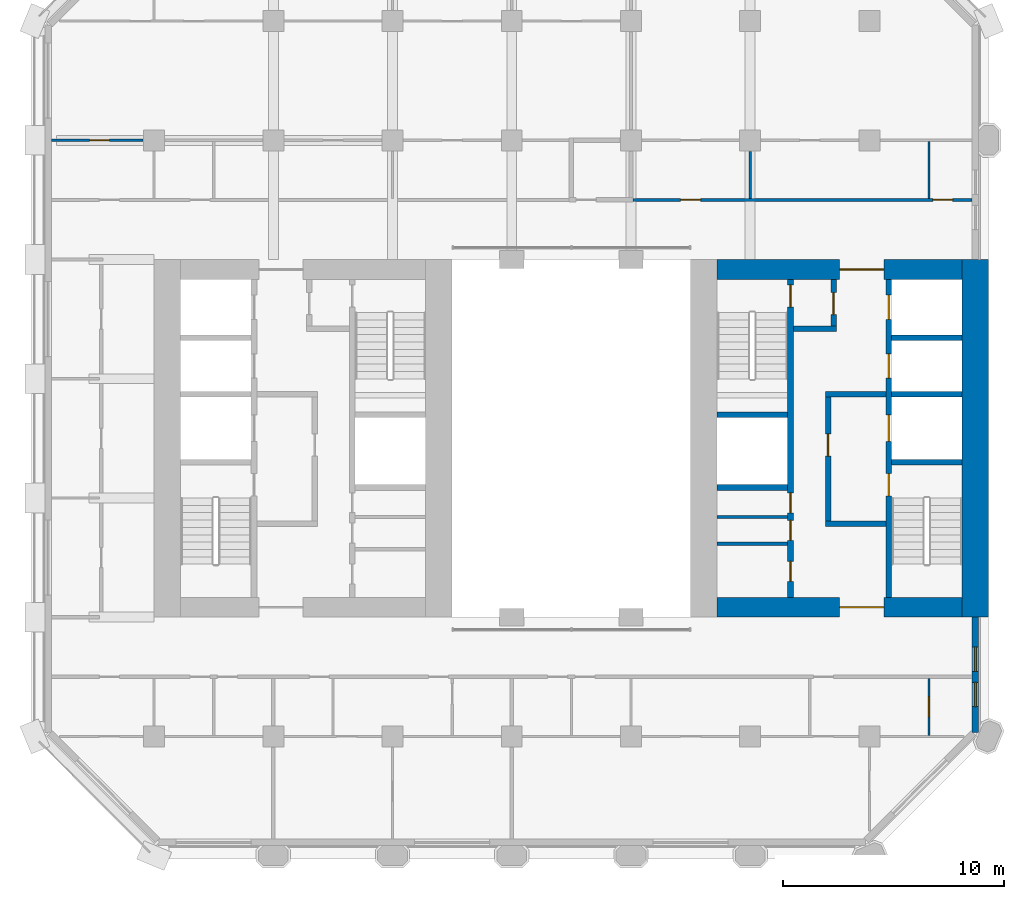
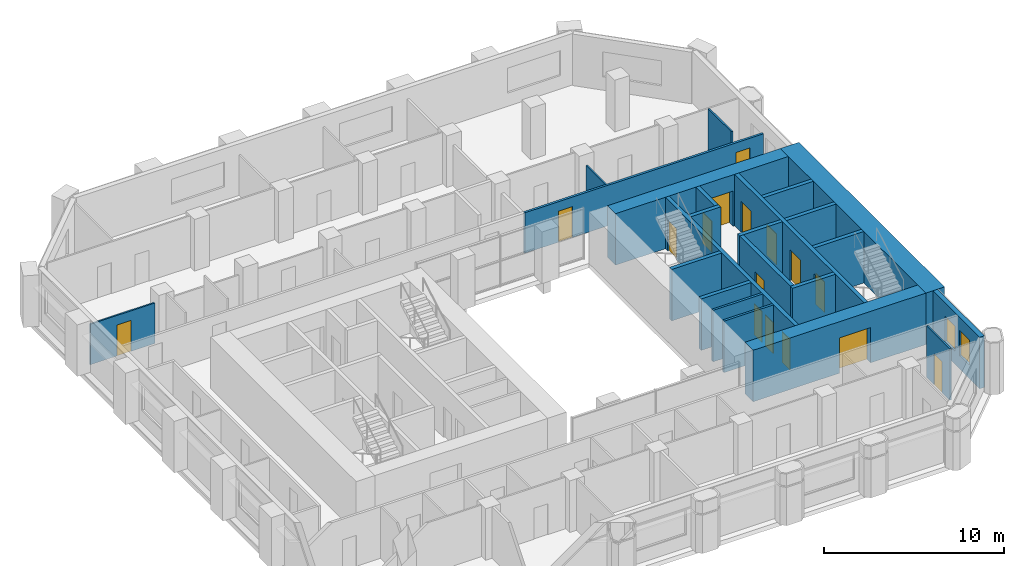
# One storey, part 8 of 13: 23 walls, 16 doors, 2 windows, 18 openings.
"""IFC4 building model written with IfcOpenShell, lengths in metres."""

from ifc_helpers import new_model, si_unit, direction, frame, frame_2d, origin, place, context, subcontext, project, spatial, rectangle, extrude, material, layer, layer_set, type_object, element, fill, save


model = new_model("IFC4")

# Units and contexts
model_context = context("Model", 3, precision=1e-05, world=origin(), true_north=direction((0.0, 1.0)))
body_context = subcontext(model_context, "Body", "Model", "MODEL_VIEW")
ifc_project = project(units=[si_unit("LENGTHUNIT", "METRE"), si_unit("AREAUNIT", "SQUARE_METRE"), si_unit("VOLUMEUNIT", "CUBIC_METRE"), si_unit("PLANEANGLEUNIT", "RADIAN"), si_unit("MASSUNIT", "GRAM", prefix="KILO")], contexts=[model_context])

# Site, building, storey
site_placement = place(None, origin())
site = spatial("IfcSite", under=ifc_project, at=site_placement, CompositionType="ELEMENT")
building_placement = place(site_placement, origin())
building = spatial("IfcBuilding", under=site, at=building_placement, Name="Tabaq Tower and Sports Hall", CompositionType="ELEMENT")
storey_placement = place(building_placement, frame((0.0, 0.0, 110.60009765625)))
storey = spatial("IfcBuildingStorey", under=building, at=storey_placement, Name="L26", CompositionType="ELEMENT", Elevation=110.60009765625)

# Walls
ifc_material_1 = material(Name="Blockwork", Category="masonry")
ifc_layer_1 = layer(ifc_material_1, 0.14990234375)
ifc_layer_set_1 = layer_set([ifc_layer_1], Name="Core room partition 150 Blockwork")
wall_type_1 = type_object("IfcWallType", Name="Core room partition 150 Blockwork", PredefinedType="PARTITIONING", material=ifc_layer_set_1)
for number, where, z_axis, x_axis, name in (
    (1, (30.89990234375, 19.52490234375, 0.0), (0.0, 0.0, 1.0), (1.0, 0.0, 0.0), "Core room partition E L26"),
    (2, (30.89990234375, 20.737060546875, 0.0), (0.0, 0.0, 1.0), (1.0, 0.0, 0.0), "Core room partition E L26"),
):
    element("IfcWall", number, at=place(storey_placement, frame(where, z_axis=z_axis, x_axis=x_axis)), inside=storey, type_object=wall_type_1, Name=name, PredefinedType="PARTITIONING", context=body_context, shape_type="SweptSolid", body=[
        extrude(rectangle(XDim=3.2001953125, YDim=0.14990234375, at=frame_2d((1.60009765625, 0.0))), origin(), (0.0, 0.0, 1.0), 3.5),
    ])
ifc_material_2 = material(Name="Concrete C60/75", Category="concrete")
ifc_layer_2 = layer(ifc_material_2, 1.199951171875)
ifc_layer_set_2 = layer_set([ifc_layer_2], Name="Core wall 1200 Concrete C60/75")
wall_type_2 = type_object("IfcWallType", Name="Core wall 1200 Concrete C60/75", PredefinedType="SOLIDWALL", material=ifc_layer_set_2)
wall_1_placement = place(storey_placement, frame((42.60009765625, 32.39990234375, 0.0), z_axis=(0.0, 0.0, 1.0), x_axis=(0.0, -1.0, 0.0)))
element("IfcWall", 3, at=wall_1_placement, inside=storey, type_object=wall_type_2, Name="Core wall E L26", PredefinedType="SOLIDWALL", context=body_context, shape_type="SweptSolid", body=[
    extrude(rectangle(XDim=16.199951171875, YDim=1.199951171875, at=frame_2d((8.10009765625, 0.0))), origin(), (0.0, 0.0, 1.0), 3.5),
])

# Wall, opening, door
ifc_material_3 = material(Name="Concrete C60/75", Category="concrete")
ifc_layer_3 = layer(ifc_material_3, 0.89990234375)
ifc_layer_set_3 = layer_set([ifc_layer_3], Name="Core wall 900 Concrete C60/75")
wall_type_3 = type_object("IfcWallType", Name="Core wall 900 Concrete C60/75", PredefinedType="SOLIDWALL", material=ifc_layer_set_3)
wall_2_placement = place(storey_placement, frame((42.0, 16.64990234375, 0.0), z_axis=(0.0, 0.0, 1.0), x_axis=(-1.0, 0.0, 0.0)))
wall_2 = element("IfcWall", 4, at=wall_2_placement, inside=storey, type_object=wall_type_3, Name="Core wall E L26", PredefinedType="SOLIDWALL", context=body_context, shape_type="SweptSolid", body=[
    extrude(rectangle(XDim=11.10009765625, YDim=0.89990234375, at=frame_2d((5.550048828125, 0.0))), origin(), (0.0, 0.0, 1.0), 3.5),
])
opening_1_placement = place(wall_2_placement, frame((3.550048828125, 0.0, 0.0)))
opening_1 = element("IfcOpeningElement", 5, at=opening_1_placement, cuts=wall_2, Name="Opening PD-EL26-01", PredefinedType="OPENING", context=body_context, shape_type="SweptSolid", body=[
    extrude(rectangle(XDim=2.0, YDim=2.39990234375, at=frame_2d((1.0, 1.199951171875))), frame((0.0, 0.449951171875, 0.0), z_axis=(0.0, -1.0, 0.0), x_axis=(1.0, 0.0, 0.0)), (0.0, 0.0, 1.0), 0.89990234375),
])
ifc_material_4 = material(Name="Steel fire door", Category="steel")
door_type_1 = type_object("IfcDoorType", Name="Core entrance door 2000", OperationType="DOUBLE_DOOR_SINGLE_SWING", PredefinedType="DOOR", material=ifc_material_4)
door_1_placement = place(opening_1_placement, origin())
door_1 = element("IfcDoor", 6, at=door_1_placement, inside=storey, type_object=door_type_1, Name="Core entrance south E L26", OperationType="DOUBLE_DOOR_SINGLE_SWING", OverallHeight=2.39990234375, OverallWidth=2.0, PredefinedType="DOOR", context=body_context, shape_type="SweptSolid", body=[
    extrude(rectangle(XDim=2.0, YDim=2.39990234375, at=frame_2d((1.0, 1.199951171875))), frame((0.0, 0.02490234375, 0.0), z_axis=(0.0, -1.0, 0.0), x_axis=(1.0, 0.0, 0.0)), (0.0, 0.0, 1.0), 0.050048828125),
])
fill(opening_1, door_1)

wall_3_placement = place(storey_placement, frame((30.89990234375, 31.949951171875, 0.0), z_axis=(0.0, 0.0, 1.0), x_axis=(1.0, 0.0, 0.0)))
wall_3 = element("IfcWall", 7, at=wall_3_placement, inside=storey, type_object=wall_type_3, Name="Core wall E L26", PredefinedType="SOLIDWALL", context=body_context, shape_type="SweptSolid", body=[
    extrude(rectangle(XDim=11.10009765625, YDim=0.89990234375, at=frame_2d((5.550048828125, 0.0))), origin(), (0.0, 0.0, 1.0), 3.5),
])
opening_2_placement = place(wall_3_placement, frame((5.550048828125, 0.0, 0.0)))
opening_2 = element("IfcOpeningElement", 8, at=opening_2_placement, cuts=wall_3, Name="Opening PD-EL26-02", PredefinedType="OPENING", context=body_context, shape_type="SweptSolid", body=[
    extrude(rectangle(XDim=2.0, YDim=2.39990234375, at=frame_2d((1.0, 1.199951171875))), frame((0.0, 0.449951171875, 0.0), z_axis=(0.0, -1.0, 0.0), x_axis=(1.0, 0.0, 0.0)), (0.0, 0.0, 1.0), 0.89990234375),
])
door_2_placement = place(opening_2_placement, origin())
door_2 = element("IfcDoor", 9, at=door_2_placement, inside=storey, type_object=door_type_1, Name="Core entrance north E L26", OperationType="DOUBLE_DOOR_SINGLE_SWING", OverallHeight=2.39990234375, OverallWidth=2.0, PredefinedType="DOOR", context=body_context, shape_type="SweptSolid", body=[
    extrude(rectangle(XDim=2.0, YDim=2.39990234375, at=frame_2d((1.0, 1.199951171875))), frame((0.0, 0.02490234375, 0.0), z_axis=(0.0, -1.0, 0.0), x_axis=(1.0, 0.0, 0.0)), (0.0, 0.0, 1.0), 0.050048828125),
])
fill(opening_2, door_2)

ifc_material_5 = material(Name="Gypsum board on steel studs", Category="steel")
ifc_layer_4 = layer(ifc_material_5, 0.10009765625)
ifc_layer_set_4 = layer_set([ifc_layer_4], Name="Partition 100 Gypsum board")
wall_type_4 = type_object("IfcWallType", Name="Partition 100 Gypsum board", PredefinedType="PARTITIONING", material=ifc_layer_set_4)
wall_4_placement = place(storey_placement, frame((4.905029296875, 37.800048828125, 0.0), z_axis=(0.0, 0.0, 1.0), x_axis=(-1.0, 0.0, 0.0)))
wall_4 = element("IfcWall", 10, at=wall_4_placement, inside=storey, type_object=wall_type_4, Name="Partition wall L26", PredefinedType="PARTITIONING", context=body_context, shape_type="SweptSolid", body=[
    extrude(rectangle(XDim=4.154052734375, YDim=0.10009765625, at=frame_2d((2.0771484375, 0.0))), origin(), (0.0, 0.0, 1.0), 2.75),
])
opening_3_placement = place(wall_4_placement, frame((1.530029296875, 0.0, 0.0)))
opening_3 = element("IfcOpeningElement", 11, at=opening_3_placement, cuts=wall_4, Name="Opening L26-028", PredefinedType="OPENING", context=body_context, shape_type="SweptSolid", body=[
    extrude(rectangle(XDim=0.89990234375, YDim=2.10009765625, at=frame_2d((0.449951171875, 1.050048828125))), frame((0.0, 0.050048828125, 0.0), z_axis=(0.0, -1.0, 0.0), x_axis=(1.0, 0.0, 0.0)), (0.0, 0.0, 1.0), 0.10009765625),
])
ifc_material_6 = material(Name="Timber leaf in steel frame", Category="steel")
door_type_2 = type_object("IfcDoorType", Name="Internal door 900 right hand", OperationType="SINGLE_SWING_RIGHT", PredefinedType="DOOR", material=ifc_material_6)
door_3_placement = place(opening_3_placement, origin())
door_3 = element("IfcDoor", 12, at=door_3_placement, inside=storey, type_object=door_type_2, Name="Internal door L26-028", OperationType="SINGLE_SWING_RIGHT", OverallHeight=2.10009765625, OverallWidth=0.89990234375, PredefinedType="DOOR", context=body_context, shape_type="SweptSolid", body=[
    extrude(rectangle(XDim=0.89990234375, YDim=2.10009765625, at=frame_2d((0.449951171875, 1.050048828125))), frame((0.0, 0.02490234375, 0.0), z_axis=(0.0, -1.0, 0.0), x_axis=(1.0, 0.0, 0.0)), (0.0, 0.0, 1.0), 0.050048828125),
])
fill(opening_3, door_3)

# Walls
wall_5_placement = place(storey_placement, frame((32.39990234375, 35.175048828125, 0.0), z_axis=(0.0, 0.0, 1.0), x_axis=(0.0, 1.0, 0.0)))
element("IfcWall", 13, at=wall_5_placement, inside=storey, type_object=wall_type_4, Name="Partition wall L26", PredefinedType="PARTITIONING", context=body_context, shape_type="SweptSolid", body=[
    extrude(rectangle(XDim=2.1298828125, YDim=0.10009765625, at=frame_2d((1.06494140625, 0.0))), origin(), (0.0, 0.0, 1.0), 2.75),
])
wall_6_placement = place(storey_placement, frame((40.5, 35.175048828125, 0.0), z_axis=(0.0, 0.0, 1.0), x_axis=(0.0, 1.0, 0.0)))
element("IfcWall", 14, at=wall_6_placement, inside=storey, type_object=wall_type_4, Name="Partition wall L26", PredefinedType="PARTITIONING", context=body_context, shape_type="SweptSolid", body=[
    extrude(rectangle(XDim=2.574951171875, YDim=0.10009765625, at=frame_2d((1.28759765625, 0.0))), origin(), (0.0, 0.0, 1.0), 3.5),
])

# Wall, opening, door
wall_7_placement = place(storey_placement, frame((40.5, 10.85009765625, 0.0), z_axis=(0.0, 0.0, 1.0), x_axis=(0.0, 1.0, 0.0)))
wall_7 = element("IfcWall", 15, at=wall_7_placement, inside=storey, type_object=wall_type_4, Name="Partition wall L26", PredefinedType="PARTITIONING", context=body_context, shape_type="SweptSolid", body=[
    extrude(rectangle(XDim=2.574951171875, YDim=0.10009765625, at=frame_2d((1.28759765625, 0.0))), origin(), (0.0, 0.0, 1.0), 3.5),
])
opening_4_placement = place(wall_7_placement, frame((0.85009765625, 0.0, 0.0)))
opening_4 = element("IfcOpeningElement", 16, at=opening_4_placement, cuts=wall_7, Name="Opening L26-023", PredefinedType="OPENING", context=body_context, shape_type="SweptSolid", body=[
    extrude(rectangle(XDim=0.89990234375, YDim=2.10009765625, at=frame_2d((0.449951171875, 1.050048828125))), frame((0.0, 0.050048828125, 0.0), z_axis=(0.0, -1.0, 0.0), x_axis=(1.0, 0.0, 0.0)), (0.0, 0.0, 1.0), 0.10009765625),
])
ifc_material_7 = material(Name="Timber leaf in steel frame", Category="steel")
door_type_3 = type_object("IfcDoorType", Name="Internal door 900 left hand", OperationType="SINGLE_SWING_LEFT", PredefinedType="DOOR", material=ifc_material_7)
door_4_placement = place(opening_4_placement, origin())
door_4 = element("IfcDoor", 17, at=door_4_placement, inside=storey, type_object=door_type_3, Name="Internal door L26-023", OperationType="SINGLE_SWING_LEFT", OverallHeight=2.10009765625, OverallWidth=0.89990234375, PredefinedType="DOOR", context=body_context, shape_type="SweptSolid", body=[
    extrude(rectangle(XDim=0.89990234375, YDim=2.10009765625, at=frame_2d((0.449951171875, 1.050048828125))), frame((0.0, 0.02490234375, 0.0), z_axis=(0.0, -1.0, 0.0), x_axis=(1.0, 0.0, 0.0)), (0.0, 0.0, 1.0), 0.050048828125),
])
fill(opening_4, door_4)

# Wall, openings, doors
ifc_material_8 = material(Name="Blockwork", Category="masonry")
ifc_layer_5 = layer(ifc_material_8, 0.14990234375)
ifc_layer_set_5 = layer_set([ifc_layer_5], Name="Separating wall 150 Blockwork")
wall_type_5 = type_object("IfcWallType", Name="Separating wall 150 Blockwork", PredefinedType="PARTITIONING", material=ifc_layer_set_5)
wall_8_placement = place(storey_placement, frame((42.448974609375, 35.10009765625, 0.0), z_axis=(0.0, 0.0, 1.0), x_axis=(-1.0, 0.0, 0.0)))
wall_8 = element("IfcWall", 18, at=wall_8_placement, inside=storey, type_object=wall_type_5, Name="Separating wall L26", PredefinedType="PARTITIONING", context=body_context, shape_type="SweptSolid", body=[
    extrude(rectangle(XDim=15.348876953125, YDim=0.14990234375, at=frame_2d((7.67431640625, 0.0))), origin(), (0.0, 0.0, 1.0), 2.75),
])
opening_5_placement = place(wall_8_placement, frame((0.87890625, 0.0, 0.0)))
opening_5 = element("IfcOpeningElement", 19, at=opening_5_placement, cuts=wall_8, Name="Opening L26-003", PredefinedType="OPENING", context=body_context, shape_type="SweptSolid", body=[
    extrude(rectangle(XDim=0.89990234375, YDim=2.10009765625, at=frame_2d((0.449951171875, 1.050048828125))), frame((0.0, 0.074951171875, 0.0), z_axis=(0.0, -1.0, 0.0), x_axis=(1.0, 0.0, 0.0)), (0.0, 0.0, 1.0), 0.14990234375),
])
opening_6_placement = place(wall_8_placement, frame((12.299072265625, 0.0, 0.0)))
opening_6 = element("IfcOpeningElement", 20, at=opening_6_placement, cuts=wall_8, Name="Opening L26-026", PredefinedType="OPENING", context=body_context, shape_type="SweptSolid", body=[
    extrude(rectangle(XDim=0.89990234375, YDim=2.10009765625, at=frame_2d((0.449951171875, 1.050048828125))), frame((0.0, 0.074951171875, 0.0), z_axis=(0.0, -1.0, 0.0), x_axis=(1.0, 0.0, 0.0)), (0.0, 0.0, 1.0), 0.14990234375),
])
ifc_material_9 = material(Name="Steel fire door", Category="steel")
door_type_4 = type_object("IfcDoorType", Name="Entrance door 900 left hand", OperationType="SINGLE_SWING_LEFT", PredefinedType="DOOR", material=ifc_material_9)
door_5_placement = place(opening_5_placement, origin())
door_5 = element("IfcDoor", 21, at=door_5_placement, inside=storey, type_object=door_type_4, Name="Entrance door L26-003", OperationType="SINGLE_SWING_LEFT", OverallHeight=2.10009765625, OverallWidth=0.89990234375, PredefinedType="DOOR", context=body_context, shape_type="SweptSolid", body=[
    extrude(rectangle(XDim=0.89990234375, YDim=2.10009765625, at=frame_2d((0.449951171875, 1.050048828125))), frame((0.0, 0.02490234375, 0.0), z_axis=(0.0, -1.0, 0.0), x_axis=(1.0, 0.0, 0.0)), (0.0, 0.0, 1.0), 0.050048828125),
])
fill(opening_5, door_5)
door_6_placement = place(opening_6_placement, origin())
door_6 = element("IfcDoor", 22, at=door_6_placement, inside=storey, type_object=door_type_4, Name="Entrance door L26-026", OperationType="SINGLE_SWING_LEFT", OverallHeight=2.10009765625, OverallWidth=0.89990234375, PredefinedType="DOOR", context=body_context, shape_type="SweptSolid", body=[
    extrude(rectangle(XDim=0.89990234375, YDim=2.10009765625, at=frame_2d((0.449951171875, 1.050048828125))), frame((0.0, 0.02490234375, 0.0), z_axis=(0.0, -1.0, 0.0), x_axis=(1.0, 0.0, 0.0)), (0.0, 0.0, 1.0), 0.050048828125),
])
fill(opening_6, door_6)

ifc_material_10 = material(Name="Concrete C40/50", Category="concrete")
ifc_layer_6 = layer(ifc_material_10, 0.25)
ifc_layer_set_6 = layer_set([ifc_layer_6], Name="Shaft and stair wall 250 Concrete C40/50")
wall_type_6 = type_object("IfcWallType", Name="Shaft and stair wall 250 Concrete C40/50", PredefinedType="SOLIDWALL", material=ifc_layer_set_6)
wall_9_placement = place(storey_placement, frame((38.675048828125, 17.10009765625, 0.0), z_axis=(0.0, 0.0, 1.0), x_axis=(0.0, 1.0, 0.0)))
wall_9 = element("IfcWall", 23, at=wall_9_placement, inside=storey, type_object=wall_type_6, Name="Shaft wall E L26", PredefinedType="SOLIDWALL", context=body_context, shape_type="SweptSolid", body=[
    extrude(rectangle(XDim=14.39990234375, YDim=0.25, at=frame_2d((7.199951171875, 0.0))), origin(), (0.0, 0.0, 1.0), 3.5),
])
opening_7_placement = place(wall_9_placement, frame((4.60009765625, 0.0, 0.0)))
opening_7 = element("IfcOpeningElement", 24, at=opening_7_placement, cuts=wall_9, Name="Opening SD-EL26-03", PredefinedType="OPENING", context=body_context, shape_type="SweptSolid", body=[
    extrude(rectangle(XDim=1.0, YDim=2.10009765625, at=frame_2d((0.5, 1.050048828125))), frame((0.0, 0.125, 0.0), z_axis=(0.0, -1.0, 0.0), x_axis=(1.0, 0.0, 0.0)), (0.0, 0.0, 1.0), 0.25),
])
opening_8_placement = place(wall_9_placement, frame((7.0625, 0.0, 0.0)))
opening_8 = element("IfcOpeningElement", 25, at=opening_8_placement, cuts=wall_9, Name="Opening LD-FF2-L26", PredefinedType="OPENING", context=body_context, shape_type="SweptSolid", body=[
    extrude(rectangle(XDim=1.199951171875, YDim=2.10009765625, at=frame_2d((0.60009765625, 1.050048828125))), frame((0.0, 0.125, 0.0), z_axis=(0.0, -1.0, 0.0), x_axis=(1.0, 0.0, 0.0)), (0.0, 0.0, 1.0), 0.25),
])
opening_9_placement = place(wall_9_placement, frame((9.925048828125, 0.0, 0.0)))
opening_9 = element("IfcOpeningElement", 26, at=opening_9_placement, cuts=wall_9, Name="Opening LD-LR3-L26", PredefinedType="OPENING", context=body_context, shape_type="SweptSolid", body=[
    extrude(rectangle(XDim=1.10009765625, YDim=2.10009765625, at=frame_2d((0.550048828125, 1.050048828125))), frame((0.0, 0.125, 0.0), z_axis=(0.0, -1.0, 0.0), x_axis=(1.0, 0.0, 0.0)), (0.0, 0.0, 1.0), 0.25),
])
opening_10_placement = place(wall_9_placement, frame((12.58740234375, 0.0, 0.0)))
opening_10 = element("IfcOpeningElement", 27, at=opening_10_placement, cuts=wall_9, Name="Opening LD-LR4-L26", PredefinedType="OPENING", context=body_context, shape_type="SweptSolid", body=[
    extrude(rectangle(XDim=1.10009765625, YDim=2.10009765625, at=frame_2d((0.550048828125, 1.050048828125))), frame((0.0, 0.125, 0.0), z_axis=(0.0, -1.0, 0.0), x_axis=(1.0, 0.0, 0.0)), (0.0, 0.0, 1.0), 0.25),
])
ifc_material_11 = material(Name="Stainless steel", Category="steel")
door_type_5 = type_object("IfcDoorType", Name="Lift landing door 1100", OperationType="DOUBLE_DOOR_SLIDING", PredefinedType="DOOR", material=ifc_material_11)
door_7_placement = place(opening_9_placement, origin())
door_7 = element("IfcDoor", 28, at=door_7_placement, inside=storey, type_object=door_type_5, Name="Lift landing door LR3 E L26", OperationType="DOUBLE_DOOR_SLIDING", OverallHeight=2.10009765625, OverallWidth=1.10009765625, PredefinedType="DOOR", context=body_context, shape_type="SweptSolid", body=[
    extrude(rectangle(XDim=1.10009765625, YDim=2.10009765625, at=frame_2d((0.550048828125, 1.050048828125))), frame((0.0, 0.02490234375, 0.0), z_axis=(0.0, -1.0, 0.0), x_axis=(1.0, 0.0, 0.0)), (0.0, 0.0, 1.0), 0.050048828125),
])
fill(opening_9, door_7)
door_8_placement = place(opening_10_placement, origin())
door_8 = element("IfcDoor", 29, at=door_8_placement, inside=storey, type_object=door_type_5, Name="Lift landing door LR4 E L26", OperationType="DOUBLE_DOOR_SLIDING", OverallHeight=2.10009765625, OverallWidth=1.10009765625, PredefinedType="DOOR", context=body_context, shape_type="SweptSolid", body=[
    extrude(rectangle(XDim=1.10009765625, YDim=2.10009765625, at=frame_2d((0.550048828125, 1.050048828125))), frame((0.0, 0.02490234375, 0.0), z_axis=(0.0, -1.0, 0.0), x_axis=(1.0, 0.0, 0.0)), (0.0, 0.0, 1.0), 0.050048828125),
])
fill(opening_10, door_8)
ifc_material_12 = material(Name="Stainless steel", Category="steel")
door_type_6 = type_object("IfcDoorType", Name="Lift landing door 1200", OperationType="DOUBLE_DOOR_SLIDING", PredefinedType="DOOR", material=ifc_material_12)
door_9_placement = place(opening_8_placement, origin())
door_9 = element("IfcDoor", 30, at=door_9_placement, inside=storey, type_object=door_type_6, Name="Lift landing door FF2 E L26", OperationType="DOUBLE_DOOR_SLIDING", OverallHeight=2.10009765625, OverallWidth=1.199951171875, PredefinedType="DOOR", context=body_context, shape_type="SweptSolid", body=[
    extrude(rectangle(XDim=1.199951171875, YDim=2.10009765625, at=frame_2d((0.60009765625, 1.050048828125))), frame((0.0, 0.02490234375, 0.0), z_axis=(0.0, -1.0, 0.0), x_axis=(1.0, 0.0, 0.0)), (0.0, 0.0, 1.0), 0.050048828125),
])
fill(opening_8, door_9)
ifc_material_13 = material(Name="Steel fire door", Category="steel")
door_type_7 = type_object("IfcDoorType", Name="Stair door 1000", OperationType="SINGLE_SWING_LEFT", PredefinedType="DOOR", material=ifc_material_13)
door_10_placement = place(opening_7_placement, origin())
door_10 = element("IfcDoor", 31, at=door_10_placement, inside=storey, type_object=door_type_7, Name="Stair door ST3 E L26", OperationType="SINGLE_SWING_LEFT", OverallHeight=2.10009765625, OverallWidth=1.0, PredefinedType="DOOR", context=body_context, shape_type="SweptSolid", body=[
    extrude(rectangle(XDim=1.0, YDim=2.10009765625, at=frame_2d((0.5, 1.050048828125))), frame((0.0, 0.02490234375, 0.0), z_axis=(0.0, -1.0, 0.0), x_axis=(1.0, 0.0, 0.0)), (0.0, 0.0, 1.0), 0.050048828125),
])
fill(opening_7, door_10)

wall_10_placement = place(storey_placement, frame((34.22509765625, 17.10009765625, 0.0), z_axis=(0.0, 0.0, 1.0), x_axis=(0.0, 1.0, 0.0)))
wall_10 = element("IfcWall", 32, at=wall_10_placement, inside=storey, type_object=wall_type_6, Name="Shaft wall E L26", PredefinedType="SOLIDWALL", context=body_context, shape_type="SweptSolid", body=[
    extrude(rectangle(XDim=14.39990234375, YDim=0.25, at=frame_2d((7.199951171875, 0.0))), origin(), (0.0, 0.0, 1.0), 3.5),
])
opening_11_placement = place(wall_10_placement, frame((13.14990234375, 0.0, 0.0)))
opening_11 = element("IfcOpeningElement", 33, at=opening_11_placement, cuts=wall_10, Name="Opening SD-EL26-05", PredefinedType="OPENING", context=body_context, shape_type="SweptSolid", body=[
    extrude(rectangle(XDim=1.0, YDim=2.10009765625, at=frame_2d((0.5, 1.050048828125))), frame((0.0, 0.125, 0.0), z_axis=(0.0, -1.0, 0.0), x_axis=(1.0, 0.0, 0.0)), (0.0, 0.0, 1.0), 0.25),
])
opening_12_placement = place(wall_10_placement, frame((0.72509765625, 0.0, 0.0)))
opening_12 = element("IfcOpeningElement", 34, at=opening_12_placement, cuts=wall_10, Name="Opening RD-EL26-10", PredefinedType="OPENING", context=body_context, shape_type="SweptSolid", body=[
    extrude(rectangle(XDim=0.89990234375, YDim=2.10009765625, at=frame_2d((0.449951171875, 1.050048828125))), frame((0.0, 0.125, 0.0), z_axis=(0.0, -1.0, 0.0), x_axis=(1.0, 0.0, 0.0)), (0.0, 0.0, 1.0), 0.25),
])
opening_13_placement = place(wall_10_placement, frame((2.5810546875, 0.0, 0.0)))
opening_13 = element("IfcOpeningElement", 35, at=opening_13_placement, cuts=wall_10, Name="Opening RD-EL26-11", PredefinedType="OPENING", context=body_context, shape_type="SweptSolid", body=[
    extrude(rectangle(XDim=0.89990234375, YDim=2.10009765625, at=frame_2d((0.449951171875, 1.050048828125))), frame((0.0, 0.125, 0.0), z_axis=(0.0, -1.0, 0.0), x_axis=(1.0, 0.0, 0.0)), (0.0, 0.0, 1.0), 0.25),
])
opening_14_placement = place(wall_10_placement, frame((3.8310546875, 0.0, 0.0)))
opening_14 = element("IfcOpeningElement", 36, at=opening_14_placement, cuts=wall_10, Name="Opening RD-EL26-12", PredefinedType="OPENING", context=body_context, shape_type="SweptSolid", body=[
    extrude(rectangle(XDim=0.89990234375, YDim=2.10009765625, at=frame_2d((0.449951171875, 1.050048828125))), frame((0.0, 0.125, 0.0), z_axis=(0.0, -1.0, 0.0), x_axis=(1.0, 0.0, 0.0)), (0.0, 0.0, 1.0), 0.25),
])
ifc_material_14 = material(Name="Steel fire door", Category="steel")
door_type_8 = type_object("IfcDoorType", Name="Core room door 900", OperationType="SINGLE_SWING_LEFT", PredefinedType="DOOR", material=ifc_material_14)
door_11_placement = place(opening_12_placement, origin())
door_11 = element("IfcDoor", 37, at=door_11_placement, inside=storey, type_object=door_type_8, Name="Door Unisex WC E L26", OperationType="SINGLE_SWING_LEFT", OverallHeight=2.10009765625, OverallWidth=0.89990234375, PredefinedType="DOOR", context=body_context, shape_type="SweptSolid", body=[
    extrude(rectangle(XDim=0.89990234375, YDim=2.10009765625, at=frame_2d((0.449951171875, 1.050048828125))), frame((0.0, 0.02490234375, 0.0), z_axis=(0.0, -1.0, 0.0), x_axis=(1.0, 0.0, 0.0)), (0.0, 0.0, 1.0), 0.050048828125),
])
fill(opening_12, door_11)
door_12_placement = place(opening_13_placement, origin())
door_12 = element("IfcDoor", 38, at=door_12_placement, inside=storey, type_object=door_type_8, Name="Door Cleaner's Store E L26", OperationType="SINGLE_SWING_LEFT", OverallHeight=2.10009765625, OverallWidth=0.89990234375, PredefinedType="DOOR", context=body_context, shape_type="SweptSolid", body=[
    extrude(rectangle(XDim=0.89990234375, YDim=2.10009765625, at=frame_2d((0.449951171875, 1.050048828125))), frame((0.0, 0.02490234375, 0.0), z_axis=(0.0, -1.0, 0.0), x_axis=(1.0, 0.0, 0.0)), (0.0, 0.0, 1.0), 0.050048828125),
])
fill(opening_13, door_12)
door_13_placement = place(opening_14_placement, origin())
door_13 = element("IfcDoor", 39, at=door_13_placement, inside=storey, type_object=door_type_8, Name="Door Accessible WC E L26", OperationType="SINGLE_SWING_LEFT", OverallHeight=2.10009765625, OverallWidth=0.89990234375, PredefinedType="DOOR", context=body_context, shape_type="SweptSolid", body=[
    extrude(rectangle(XDim=0.89990234375, YDim=2.10009765625, at=frame_2d((0.449951171875, 1.050048828125))), frame((0.0, 0.02490234375, 0.0), z_axis=(0.0, -1.0, 0.0), x_axis=(1.0, 0.0, 0.0)), (0.0, 0.0, 1.0), 0.050048828125),
])
fill(opening_14, door_13)
door_14_placement = place(opening_11_placement, origin())
door_14 = element("IfcDoor", 40, at=door_14_placement, inside=storey, type_object=door_type_7, Name="Stair door ST4 E L26", OperationType="SINGLE_SWING_LEFT", OverallHeight=2.10009765625, OverallWidth=1.0, PredefinedType="DOOR", context=body_context, shape_type="SweptSolid", body=[
    extrude(rectangle(XDim=1.0, YDim=2.10009765625, at=frame_2d((0.5, 1.050048828125))), frame((0.0, 0.02490234375, 0.0), z_axis=(0.0, -1.0, 0.0), x_axis=(1.0, 0.0, 0.0)), (0.0, 0.0, 1.0), 0.050048828125),
])
fill(opening_11, door_14)

# Walls
wall_11_placement = place(storey_placement, frame((38.800048828125, 23.22509765625, 0.0), z_axis=(0.0, 0.0, 1.0), x_axis=(1.0, 0.0, 0.0)))
element("IfcWall", 41, at=wall_11_placement, inside=storey, type_object=wall_type_6, Name="Stair enclosure wall E L26", PredefinedType="SOLIDWALL", context=body_context, shape_type="SweptSolid", body=[
    extrude(rectangle(XDim=3.199951171875, YDim=0.25, at=frame_2d((1.60009765625, 0.0))), origin(), (0.0, 0.0, 1.0), 3.5),
])
for number, where, z_axis, x_axis, name in (
    (42, (30.89990234375, 25.375, 0.0), (0.0, 0.0, 1.0), (1.0, 0.0, 0.0), "Stair enclosure wall E L26"),
    (43, (30.89990234375, 22.074951171875, 0.0), (0.0, 0.0, 1.0), (1.0, 0.0, 0.0), "Shaft wall E L26"),
):
    element("IfcWall", number, at=place(storey_placement, frame(where, z_axis=z_axis, x_axis=x_axis)), inside=storey, type_object=wall_type_6, Name=name, PredefinedType="SOLIDWALL", context=body_context, shape_type="SweptSolid", body=[
        extrude(rectangle(XDim=3.2001953125, YDim=0.25, at=frame_2d((1.60009765625, 0.0))), origin(), (0.0, 0.0, 1.0), 3.5),
    ])
wall_12_placement = place(storey_placement, frame((38.800048828125, 26.300048828125, 0.0), z_axis=(0.0, 0.0, 1.0), x_axis=(1.0, 0.0, 0.0)))
element("IfcWall", 44, at=wall_12_placement, inside=storey, type_object=wall_type_6, Name="Shaft wall E L26", PredefinedType="SOLIDWALL", context=body_context, shape_type="SweptSolid", body=[
    extrude(rectangle(XDim=3.199951171875, YDim=0.25, at=frame_2d((1.60009765625, 0.0))), origin(), (0.0, 0.0, 1.0), 3.5),
])
for number, where, z_axis, x_axis, name in (
    (45, (35.800048828125, 26.300048828125, 0.0), (0.0, 0.0, 1.0), (1.0, 0.0, 0.0), "Fire-fighting lobby wall E L26"),
    (46, (35.800048828125, 20.425048828125, 0.0), (0.0, 0.0, 1.0), (1.0, 0.0, 0.0), "Fire-fighting lobby wall E L26"),
):
    element("IfcWall", number, at=place(storey_placement, frame(where, z_axis=z_axis, x_axis=x_axis)), inside=storey, type_object=wall_type_6, Name=name, PredefinedType="SOLIDWALL", context=body_context, shape_type="SweptSolid", body=[
        extrude(rectangle(XDim=2.75, YDim=0.25, at=frame_2d((1.375, 0.0))), origin(), (0.0, 0.0, 1.0), 3.5),
    ])

# Wall, opening, door
wall_13_placement = place(storey_placement, frame((36.175048828125, 29.39990234375, 0.0), z_axis=(0.0, 0.0, 1.0), x_axis=(0.0, 1.0, 0.0)))
wall_13 = element("IfcWall", 47, at=wall_13_placement, inside=storey, type_object=wall_type_6, Name="Fire-fighting lobby wall E L26", PredefinedType="SOLIDWALL", context=body_context, shape_type="SweptSolid", body=[
    extrude(rectangle(XDim=2.10009765625, YDim=0.25, at=frame_2d((1.050048828125, 0.0))), origin(), (0.0, 0.0, 1.0), 3.5),
])
opening_15_placement = place(wall_13_placement, frame((0.5, 0.0, 0.0)))
opening_15 = element("IfcOpeningElement", 48, at=opening_15_placement, cuts=wall_13, Name="Opening FD-EL26-06", PredefinedType="OPENING", context=body_context, shape_type="SweptSolid", body=[
    extrude(rectangle(XDim=1.0, YDim=2.10009765625, at=frame_2d((0.5, 1.050048828125))), frame((0.0, 0.125, 0.0), z_axis=(0.0, -1.0, 0.0), x_axis=(1.0, 0.0, 0.0)), (0.0, 0.0, 1.0), 0.25),
])
ifc_material_15 = material(Name="Steel fire door", Category="steel")
door_type_9 = type_object("IfcDoorType", Name="Fire-fighting lobby door 1000", OperationType="SINGLE_SWING_LEFT", PredefinedType="DOOR", material=ifc_material_15)
door_15_placement = place(opening_15_placement, origin())
door_15 = element("IfcDoor", 49, at=door_15_placement, inside=storey, type_object=door_type_9, Name="Stair lobby door E L26", OperationType="SINGLE_SWING_LEFT", OverallHeight=2.10009765625, OverallWidth=1.0, PredefinedType="DOOR", context=body_context, shape_type="SweptSolid", body=[
    extrude(rectangle(XDim=1.0, YDim=2.10009765625, at=frame_2d((0.5, 1.050048828125))), frame((0.0, 0.02490234375, 0.0), z_axis=(0.0, -1.0, 0.0), x_axis=(1.0, 0.0, 0.0)), (0.0, 0.0, 1.0), 0.050048828125),
])
fill(opening_15, door_15)

# Wall
wall_14_placement = place(storey_placement, frame((34.35009765625, 29.27490234375, 0.0), z_axis=(0.0, 0.0, 1.0), x_axis=(1.0, 0.0, 0.0)))
element("IfcWall", 50, at=wall_14_placement, inside=storey, type_object=wall_type_6, Name="Fire-fighting lobby wall E L26", PredefinedType="SOLIDWALL", context=body_context, shape_type="SweptSolid", body=[
    extrude(rectangle(XDim=1.949951171875, YDim=0.25, at=frame_2d((0.97509765625, 0.0))), origin(), (0.0, 0.0, 1.0), 3.5),
])

# Wall, opening, door
wall_15_placement = place(storey_placement, frame((35.925048828125, 20.550048828125, 0.0), z_axis=(0.0, 0.0, 1.0), x_axis=(0.0, 1.0, 0.0)))
wall_15 = element("IfcWall", 51, at=wall_15_placement, inside=storey, type_object=wall_type_6, Name="Fire-fighting lobby wall E L26", PredefinedType="SOLIDWALL", context=body_context, shape_type="SweptSolid", body=[
    extrude(rectangle(XDim=5.625, YDim=0.25, at=frame_2d((2.8125, 0.0))), origin(), (0.0, 0.0, 1.0), 3.5),
])
opening_16_placement = place(wall_15_placement, frame((2.949951171875, 0.0, 0.0)))
opening_16 = element("IfcOpeningElement", 52, at=opening_16_placement, cuts=wall_15, Name="Opening FD-EL26-04", PredefinedType="OPENING", context=body_context, shape_type="SweptSolid", body=[
    extrude(rectangle(XDim=1.0, YDim=2.10009765625, at=frame_2d((0.5, 1.050048828125))), frame((0.0, 0.125, 0.0), z_axis=(0.0, -1.0, 0.0), x_axis=(1.0, 0.0, 0.0)), (0.0, 0.0, 1.0), 0.25),
])
door_16_placement = place(opening_16_placement, origin())
door_16 = element("IfcDoor", 53, at=door_16_placement, inside=storey, type_object=door_type_9, Name="Fire-fighting lobby door E L26", OperationType="SINGLE_SWING_LEFT", OverallHeight=2.10009765625, OverallWidth=1.0, PredefinedType="DOOR", context=body_context, shape_type="SweptSolid", body=[
    extrude(rectangle(XDim=1.0, YDim=2.10009765625, at=frame_2d((0.5, 1.050048828125))), frame((0.0, 0.02490234375, 0.0), z_axis=(0.0, -1.0, 0.0), x_axis=(1.0, 0.0, 0.0)), (0.0, 0.0, 1.0), 0.050048828125),
])
fill(opening_16, door_16)

# Wall
wall_16_placement = place(storey_placement, frame((38.800048828125, 28.85009765625, 0.0), z_axis=(0.0, 0.0, 1.0), x_axis=(1.0, 0.0, 0.0)))
element("IfcWall", 54, at=wall_16_placement, inside=storey, type_object=wall_type_6, Name="Shaft wall E L26", PredefinedType="SOLIDWALL", context=body_context, shape_type="SweptSolid", body=[
    extrude(rectangle(XDim=3.199951171875, YDim=0.25, at=frame_2d((1.60009765625, 0.0))), origin(), (0.0, 0.0, 1.0), 3.5),
])

# Wall, openings, windows
ifc_material_16 = material(Name="White precast concrete C60/75", Category="concrete")
ifc_layer_7 = layer(ifc_material_16, 0.300048828125)
ifc_layer_set_7 = layer_set([ifc_layer_7], Name="White precast concrete C60/75 external wall 300")
wall_type_7 = type_object("IfcWallType", Name="White precast concrete C60/75 external wall 300", PredefinedType="SOLIDWALL", material=ifc_layer_set_7)
wall_17_placement = place(storey_placement, frame((42.60009765625, 10.986328125, 0.0), z_axis=(0.0, 0.0, 1.0), x_axis=(0.0, 1.0, 0.0)))
wall_17 = element("IfcWall", 55, at=wall_17_placement, inside=storey, type_object=wall_type_7, Name="External Wall L26 E", PredefinedType="SOLIDWALL", context=body_context, shape_type="SweptSolid", body=[
    extrude(rectangle(XDim=5.213623046875, YDim=0.300048828125, at=frame_2d((2.60693359375, 0.0))), origin(), (0.0, 0.0, 1.0), 3.5),
])
opening_17_placement = place(wall_17_placement, frame((1.16357421875, 0.0, 0.89990234375)))
opening_17 = element("IfcOpeningElement", 56, at=opening_17_placement, cuts=wall_17, Name="Opening W1B", PredefinedType="OPENING", context=body_context, shape_type="SweptSolid", body=[
    extrude(rectangle(XDim=1.10009765625, YDim=1.699951171875, at=frame_2d((0.550048828125, 0.85009765625))), frame((0.0, 0.16015625, 0.0), z_axis=(0.0, -1.0, 0.0), x_axis=(1.0, 0.0, 0.0)), (0.0, 0.0, 1.0), 0.320068359375),
])
opening_18_placement = place(wall_17_placement, frame((2.763671875, 0.0, 0.89990234375)))
opening_18 = element("IfcOpeningElement", 57, at=opening_18_placement, cuts=wall_17, Name="Opening W1B", PredefinedType="OPENING", context=body_context, shape_type="SweptSolid", body=[
    extrude(rectangle(XDim=1.10009765625, YDim=1.699951171875, at=frame_2d((0.550048828125, 0.85009765625))), frame((0.0, 0.16015625, 0.0), z_axis=(0.0, -1.0, 0.0), x_axis=(1.0, 0.0, 0.0)), (0.0, 0.0, 1.0), 0.320068359375),
])
ifc_material_17 = material(Name="Aluminium framed clear glazing", Category="aluminium")
window_type = type_object("IfcWindowType", Name="Window W1B", PartitioningType="SINGLE_PANEL", PredefinedType="WINDOW", material=ifc_material_17)
window_1_placement = place(opening_17_placement, origin())
window_1 = element("IfcWindow", 58, at=window_1_placement, inside=storey, type_object=window_type, Name="Window W1B L26", OverallHeight=1.699951171875, OverallWidth=1.10009765625, PartitioningType="SINGLE_PANEL", PredefinedType="WINDOW", context=body_context, shape_type="SweptSolid", body=[
    extrude(rectangle(XDim=1.10009765625, YDim=1.699951171875, at=frame_2d((0.550048828125, 0.85009765625))), frame((0.0, 0.030029296875, 0.0), z_axis=(0.0, -1.0, 0.0), x_axis=(1.0, 0.0, 0.0)), (0.0, 0.0, 1.0), 0.06005859375),
])
fill(opening_17, window_1)
window_2_placement = place(opening_18_placement, origin())
window_2 = element("IfcWindow", 59, at=window_2_placement, inside=storey, type_object=window_type, Name="Window W1B L26", OverallHeight=1.699951171875, OverallWidth=1.10009765625, PartitioningType="SINGLE_PANEL", PredefinedType="WINDOW", context=body_context, shape_type="SweptSolid", body=[
    extrude(rectangle(XDim=1.10009765625, YDim=1.699951171875, at=frame_2d((0.550048828125, 0.85009765625))), frame((0.0, 0.030029296875, 0.0), z_axis=(0.0, -1.0, 0.0), x_axis=(1.0, 0.0, 0.0)), (0.0, 0.0, 1.0), 0.06005859375),
])
fill(opening_18, window_2)

save(model, "model.ifc")
